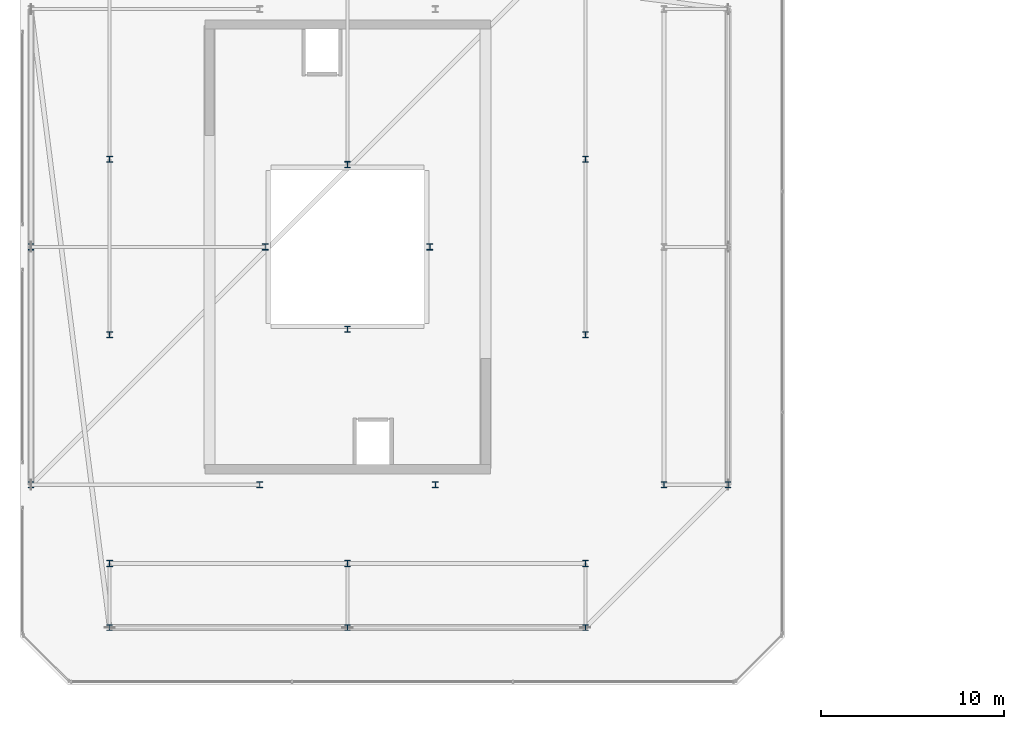
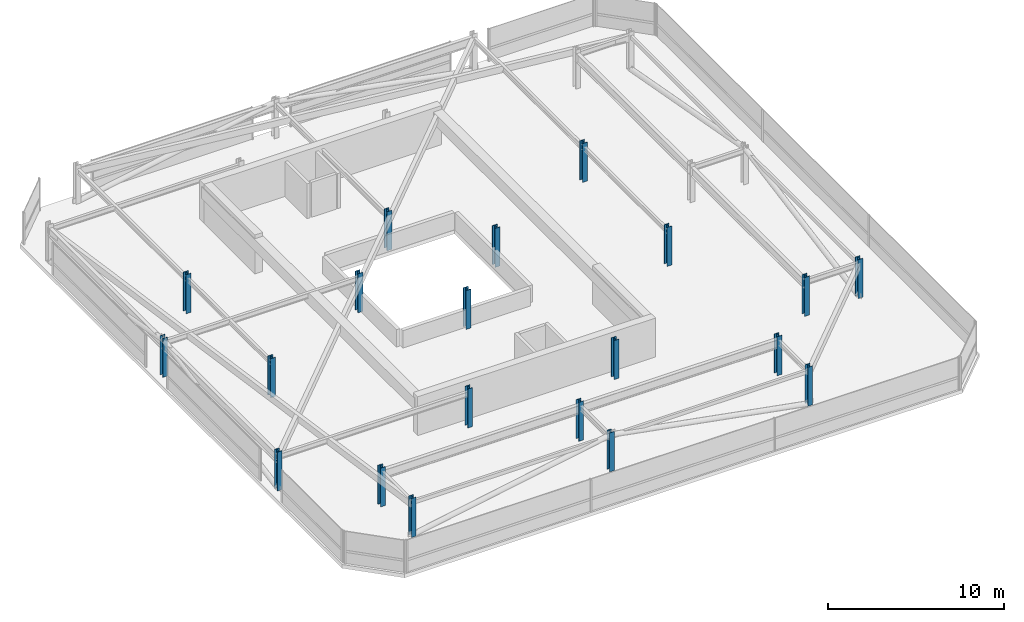
# One storey, part 1 of 42: 20 columns.
"""IFC4 building model written with IfcOpenShell, lengths in metres."""

from ifc_helpers import new_model, si_unit, direction, frame, origin, origin_2d, place, context, subcontext, project, spatial, i_section, extrude, material, material_profile, profile_set, type_object, element, save


model = new_model("IFC4")

# Units and contexts
model_context = context("Model", 3, precision=1e-05, world=origin(), true_north=direction((0.0, 1.0)))
body_context = subcontext(model_context, "Body", "Model", "MODEL_VIEW")
ifc_project = project(units=[si_unit("LENGTHUNIT", "METRE"), si_unit("AREAUNIT", "SQUARE_METRE"), si_unit("VOLUMEUNIT", "CUBIC_METRE"), si_unit("PLANEANGLEUNIT", "RADIAN"), si_unit("MASSUNIT", "GRAM", prefix="KILO")], contexts=[model_context])

# Site, building, storey
site_placement = place(None, origin())
site = spatial("IfcSite", under=ifc_project, at=site_placement, CompositionType="ELEMENT")
building_placement = place(site_placement, origin())
building = spatial("IfcBuilding", under=site, at=building_placement, Name="Thornwick Lancets Civic Towers", CompositionType="ELEMENT")
storey_placement = place(building_placement, frame((0.0, 0.0, 284.10009765625)))
storey = spatial("IfcBuildingStorey", under=building, at=storey_placement, Name="C02", CompositionType="ELEMENT", Elevation=284.10009765625)

# Columns
ifc_material = material(Name="Steel S355JR", Category="steel")
ifc_material_profile_1 = material_profile(ifc_material, i_section(OverallWidth=0.30908203125, OverallDepth=0.320556640625, WebThickness=0.013916015625, FlangeThickness=0.021728515625, FilletRadius=0.01513671875, at=origin_2d()), Name="UKC 305x305x137")
ifc_profile_set_1 = profile_set([ifc_material_profile_1], Name="Steel S355JR")
column_type_1 = type_object("IfcColumnType", Name="COL_UKC_137", PredefinedType="COLUMN", material=ifc_profile_set_1)
for number, where, z_axis, x_axis, name in (
    (1, (12.5, 6.199951171875, 0.0), (0.0, 0.0, 1.0), (1.0, 0.0, 0.0), "C02 Block Perimeter Column A01"),
    (2, (25.5, 6.199951171875, 0.0), (0.0, 0.0, 1.0), (1.0, 0.0, 0.0), "C02 Block Perimeter Column A02"),
    (3, (38.5, 6.199951171875, 0.0), (0.0, 0.0, 1.0), (1.0, 0.0, 0.0), "C02 Block Perimeter Column A03"),
    (4, (46.300048828125, 14.0, 0.0), (0.0, 0.0, 1.0), (1.0, 0.0, 0.0), "C02 Block Perimeter Column A04"),
):
    element("IfcColumn", number, at=place(storey_placement, frame(where, z_axis=z_axis, x_axis=x_axis)), inside=storey, type_object=column_type_1, Name=name, PredefinedType="COLUMN", context=body_context, shape_type="SweptSolid", body=[
        extrude(i_section(OverallWidth=0.30908203125, OverallDepth=0.320556640625, WebThickness=0.013916015625, FlangeThickness=0.021728515625, FilletRadius=0.01513671875, at=origin_2d()), origin(), (0.0, 0.0, 1.0), 2.699951171875),
    ])
ifc_material_profile_2 = material_profile(ifc_material, i_section(OverallWidth=0.314453125, OverallDepth=0.33984375, WebThickness=0.01904296875, FlangeThickness=0.031494140625, FilletRadius=0.01513671875, at=origin_2d()), Name="UKC 305x305x198")
ifc_profile_set_2 = profile_set([ifc_material_profile_2], Name="Steel S355JR")
column_type_2 = type_object("IfcColumnType", Name="COL_UKC_198", PredefinedType="COLUMN", material=ifc_profile_set_2)
for number, where, z_axis, x_axis, name in (
    (5, (12.5, 9.699951171875, 0.0), (0.0, 0.0, 1.0), (1.0, 0.0, 0.0), "C02 Spine Mega-Column A01"),
    (6, (25.5, 9.699951171875, 0.0), (0.0, 0.0, 1.0), (1.0, 0.0, 0.0), "C02 Spine Mega-Column A02"),
    (7, (38.5, 9.699951171875, 0.0), (0.0, 0.0, 1.0), (1.0, 0.0, 0.0), "C02 Spine Mega-Column A03"),
    (8, (42.800048828125, 14.0, 0.0), (0.0, 0.0, 1.0), (1.0, 0.0, 0.0), "C02 Spine Mega-Column A04"),
    (9, (8.199951171875, 14.0, 0.0), (0.0, 0.0, 1.0), (1.0, 0.0, 0.0), "C02 Spine Mega-Column A10"),
    (10, (8.199951171875, 27.0, 0.0), (0.0, 0.0, 1.0), (1.0, 0.0, 0.0), "C02 Spine Mega-Column A11"),
    (11, (12.5, 22.199951171875, 0.0), (0.0, 0.0, 1.0), (1.0, 0.0, 0.0), "C02 Spine Mega-Column A13"),
    (12, (38.5, 22.199951171875, 0.0), (0.0, 0.0, 1.0), (1.0, 0.0, 0.0), "C02 Spine Mega-Column A14"),
    (13, (12.5, 31.800048828125, 0.0), (0.0, 0.0, 1.0), (1.0, 0.0, 0.0), "C02 Spine Mega-Column A15"),
    (14, (38.5, 31.800048828125, 0.0), (0.0, 0.0, 1.0), (1.0, 0.0, 0.0), "C02 Spine Mega-Column A16"),
    (15, (20.699951171875, 14.0, 0.0), (0.0, 0.0, 1.0), (1.0, 0.0, 0.0), "C02 Spine Mega-Column A17"),
    (16, (30.300048828125, 14.0, 0.0), (0.0, 0.0, 1.0), (1.0, 0.0, 0.0), "C02 Spine Mega-Column A18"),
    (17, (25.5, 22.5, 0.0), (0.0, 0.0, 1.0), (1.0, 0.0, 0.0), "C02 Spine Mega-Column A21"),
    (18, (25.5, 31.5, 0.0), (0.0, 0.0, 1.0), (1.0, 0.0, 0.0), "C02 Spine Mega-Column A22"),
    (19, (21.0, 27.0, 0.0), (0.0, 0.0, 1.0), (1.0, 0.0, 0.0), "C02 Spine Mega-Column A23"),
    (20, (30.0, 27.0, 0.0), (0.0, 0.0, 1.0), (1.0, 0.0, 0.0), "C02 Spine Mega-Column A24"),
):
    element("IfcColumn", number, at=place(storey_placement, frame(where, z_axis=z_axis, x_axis=x_axis)), inside=storey, type_object=column_type_2, Name=name, PredefinedType="COLUMN", context=body_context, shape_type="SweptSolid", body=[
        extrude(i_section(OverallWidth=0.314453125, OverallDepth=0.33984375, WebThickness=0.01904296875, FlangeThickness=0.031494140625, FilletRadius=0.01513671875, at=origin_2d()), origin(), (0.0, 0.0, 1.0), 2.699951171875),
    ])

save(model, "model.ifc")
